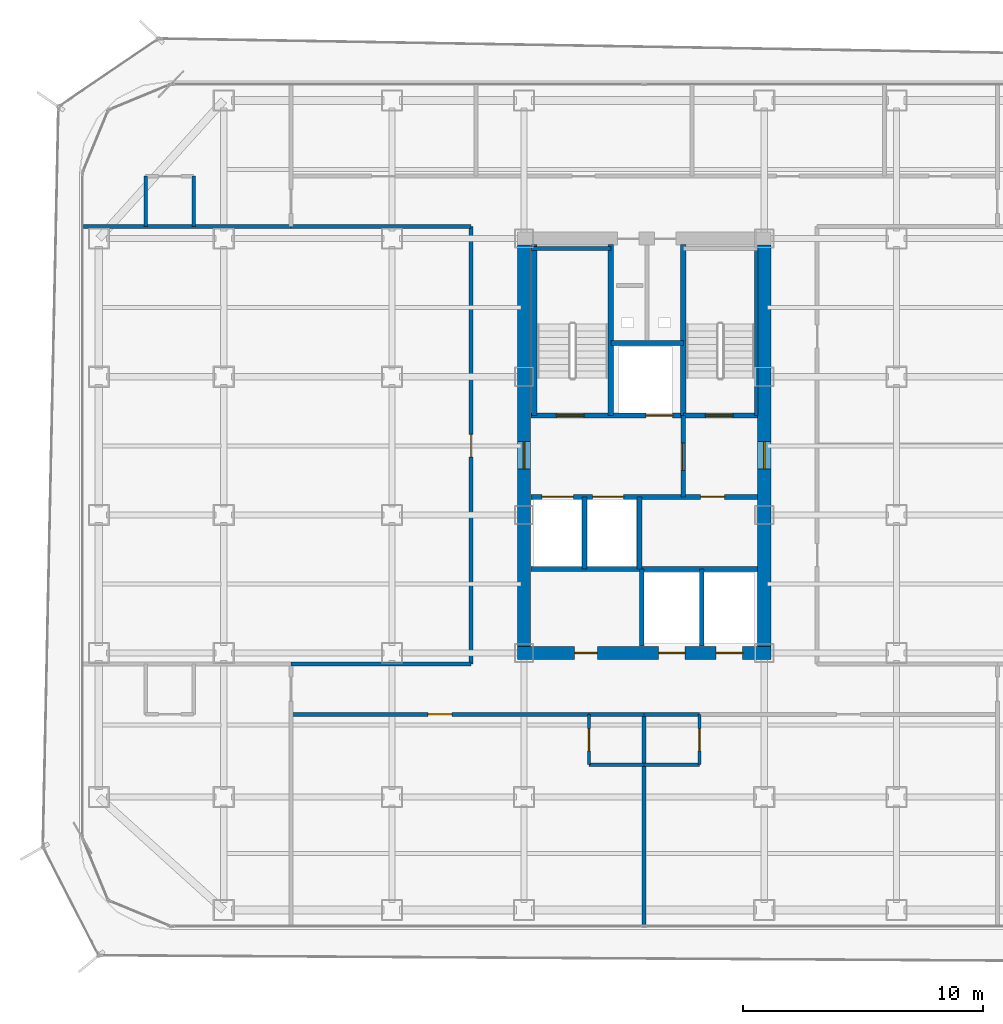
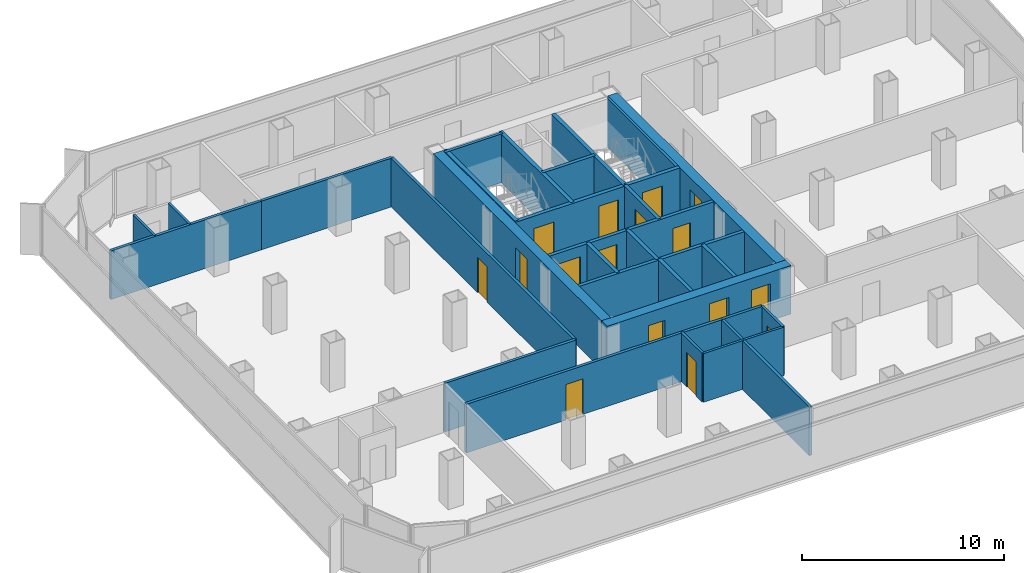
# One storey, part 16 of 21: 32 walls, 16 doors, 16 openings.
"""IFC4 building model written with IfcOpenShell, lengths in metres."""

from ifc_helpers import new_model, si_unit, direction, frame, frame_2d, origin, place, context, subcontext, project, spatial, rectangle, extrude, material, layer, layer_set, type_object, element, fill, save


model = new_model("IFC4")

# Units and contexts
model_context = context("Model", 3, precision=1e-05, world=origin(), true_north=direction((0.0, 1.0)))
body_context = subcontext(model_context, "Body", "Model", "MODEL_VIEW")
ifc_project = project(units=[si_unit("LENGTHUNIT", "METRE"), si_unit("AREAUNIT", "SQUARE_METRE"), si_unit("VOLUMEUNIT", "CUBIC_METRE"), si_unit("PLANEANGLEUNIT", "RADIAN"), si_unit("MASSUNIT", "GRAM", prefix="KILO")], contexts=[model_context])

# Site, building, storey
site_placement = place(None, origin())
site = spatial("IfcSite", under=ifc_project, at=site_placement, CompositionType="ELEMENT")
building_placement = place(site_placement, origin())
building = spatial("IfcBuilding", under=site, at=building_placement, Name="Kolveth Station Tower", CompositionType="ELEMENT")
storey_placement = place(building_placement, frame((0.0, 0.0, 137.5)))
storey = spatial("IfcBuildingStorey", under=building, at=storey_placement, Name="L38", CompositionType="ELEMENT", Elevation=137.5)

# Wall, openings, doors
ifc_material_1 = material(Name="Concrete C60/75", Category="concrete")
ifc_layer_1 = layer(ifc_material_1, 0.550048828125)
ifc_layer_set_1 = layer_set([ifc_layer_1], Name="Concrete C60/75")
wall_type_1 = type_object("IfcWallType", Name="Wall_CW-550", PredefinedType="SHEAR", material=ifc_layer_set_1)
wall_1_placement = place(storey_placement, frame((18.22509765625, 11.5, 0.0), z_axis=(0.0, 0.0, 1.0), x_axis=(1.0, 0.0, 0.0)))
wall_1 = element("IfcWall", 1, at=wall_1_placement, inside=storey, type_object=wall_type_1, Name="L38 Core RC Shear Wall S", PredefinedType="SHEAR", context=body_context, shape_type="SweptSolid", body=[
    extrude(rectangle(XDim=10.5498046875, YDim=0.550048828125, at=frame_2d((5.27490234375, 0.0))), origin(), (0.0, 0.0, 1.0), 2.949951171875),
])
opening_1_placement = place(wall_1_placement, frame((2.375, 0.0, 0.0)))
opening_1 = element("IfcOpeningElement", 2, at=opening_1_placement, cuts=wall_1, Name="Opening ID1", PredefinedType="OPENING", context=body_context, shape_type="SweptSolid", body=[
    extrude(rectangle(XDim=0.949951171875, YDim=2.14990234375, at=frame_2d((0.47509765625, 1.074951171875))), frame((0.0, 0.284912109375, 0.0), z_axis=(0.0, -1.0, 0.0), x_axis=(1.0, 0.0, 0.0)), (0.0, 0.0, 1.0), 0.570068359375),
])
opening_2_placement = place(wall_1_placement, frame((5.875, 0.0, 0.0)))
opening_2 = element("IfcOpeningElement", 3, at=opening_2_placement, cuts=wall_1, Name="Opening LD1", PredefinedType="OPENING", context=body_context, shape_type="SweptSolid", body=[
    extrude(rectangle(XDim=1.10009765625, YDim=2.25, at=frame_2d((0.550048828125, 1.125))), frame((0.0, 0.284912109375, 0.0), z_axis=(0.0, -1.0, 0.0), x_axis=(1.0, 0.0, 0.0)), (0.0, 0.0, 1.0), 0.570068359375),
])
opening_3_placement = place(wall_1_placement, frame((8.27490234375, 0.0, 0.0)))
opening_3 = element("IfcOpeningElement", 4, at=opening_3_placement, cuts=wall_1, Name="Opening LD1", PredefinedType="OPENING", context=body_context, shape_type="SweptSolid", body=[
    extrude(rectangle(XDim=1.10009765625, YDim=2.25, at=frame_2d((0.550048828125, 1.125))), frame((0.0, 0.284912109375, 0.0), z_axis=(0.0, -1.0, 0.0), x_axis=(1.0, 0.0, 0.0)), (0.0, 0.0, 1.0), 0.570068359375),
])
ifc_material_2 = material(Name="Acoustic hardwood leaf and aluminium frame", Category="wood")
door_type_1 = type_object("IfcDoorType", Name="Door_ID1", OperationType="NOTDEFINED", PredefinedType="DOOR", material=ifc_material_2)
door_1_placement = place(opening_1_placement, frame((0.949951171875, 0.0, 0.0), z_axis=(0.0, 0.0, 1.0), x_axis=(-1.0, 0.0, 0.0)))
door_1 = element("IfcDoor", 5, at=door_1_placement, inside=storey, type_object=door_type_1, Name="L38 Hotel Pantry Door", OperationType="SINGLE_SWING_LEFT", OverallHeight=2.14990234375, OverallWidth=0.949951171875, PredefinedType="DOOR", context=body_context, shape_type="SweptSolid", body=[
    extrude(rectangle(XDim=0.949951171875, YDim=2.14990234375, at=frame_2d((0.47509765625, 1.074951171875))), frame((0.0, 0.02490234375, 0.0), z_axis=(0.0, -1.0, 0.0), x_axis=(1.0, 0.0, 0.0)), (0.0, 0.0, 1.0), 0.050048828125),
])
fill(opening_1, door_1)
ifc_material_3 = material(Name="Brushed stainless steel sliding landing doors", Category="steel")
door_type_2 = type_object("IfcDoorType", Name="Door_LD1", OperationType="NOTDEFINED", PredefinedType="DOOR", material=ifc_material_3)
door_2_placement = place(opening_2_placement, frame((1.10009765625, 0.0, 0.0), z_axis=(0.0, 0.0, 1.0), x_axis=(-1.0, 0.0, 0.0)))
door_2 = element("IfcDoor", 6, at=door_2_placement, inside=storey, type_object=door_type_2, Name="L38 Lift PM1 Landing Door", OperationType="DOUBLE_DOOR_SLIDING", OverallHeight=2.25, OverallWidth=1.10009765625, PredefinedType="DOOR", context=body_context, shape_type="SweptSolid", body=[
    extrude(rectangle(XDim=1.10009765625, YDim=2.25, at=frame_2d((0.550048828125, 1.125))), frame((0.0, 0.02490234375, 0.0), z_axis=(0.0, -1.0, 0.0), x_axis=(1.0, 0.0, 0.0)), (0.0, 0.0, 1.0), 0.050048828125),
])
fill(opening_2, door_2)
door_3_placement = place(opening_3_placement, frame((1.10009765625, 0.0, 0.0), z_axis=(0.0, 0.0, 1.0), x_axis=(-1.0, 0.0, 0.0)))
door_3 = element("IfcDoor", 7, at=door_3_placement, inside=storey, type_object=door_type_2, Name="L38 Lift PH1 Landing Door", OperationType="DOUBLE_DOOR_SLIDING", OverallHeight=2.25, OverallWidth=1.10009765625, PredefinedType="DOOR", context=body_context, shape_type="SweptSolid", body=[
    extrude(rectangle(XDim=1.10009765625, YDim=2.25, at=frame_2d((0.550048828125, 1.125))), frame((0.0, 0.02490234375, 0.0), z_axis=(0.0, -1.0, 0.0), x_axis=(1.0, 0.0, 0.0)), (0.0, 0.0, 1.0), 0.050048828125),
])
fill(opening_3, door_3)

# Wall, opening, door
wall_2_placement = place(storey_placement, frame((18.5, 11.77490234375, 0.0), z_axis=(0.0, 0.0, 1.0), x_axis=(0.0, 1.0, 0.0)))
wall_2 = element("IfcWall", 8, at=wall_2_placement, inside=storey, type_object=wall_type_1, Name="L38 Core RC Shear Wall W", PredefinedType="SHEAR", context=body_context, shape_type="SweptSolid", body=[
    extrude(rectangle(XDim=16.7001953125, YDim=0.550048828125, at=frame_2d((8.35009765625, 0.0))), origin(), (0.0, 0.0, 1.0), 2.949951171875),
])
opening_4_placement = place(wall_2_placement, frame((7.375, 0.0, 0.0)))
opening_4 = element("IfcOpeningElement", 9, at=opening_4_placement, cuts=wall_2, Name="Opening FD1", PredefinedType="OPENING", context=body_context, shape_type="SweptSolid", body=[
    extrude(rectangle(XDim=1.14990234375, YDim=2.199951171875, at=frame_2d((0.574951171875, 1.10009765625))), frame((0.0, 0.284912109375, 0.0), z_axis=(0.0, -1.0, 0.0), x_axis=(1.0, 0.0, 0.0)), (0.0, 0.0, 1.0), 0.570068359375),
])
ifc_material_4 = material(Name="Fire-rated Steel S355 leaf and frame", Category="steel")
door_type_3 = type_object("IfcDoorType", Name="Door_FD1", OperationType="NOTDEFINED", PredefinedType="DOOR", material=ifc_material_4)
door_4_placement = place(opening_4_placement, frame((1.14990234375, 0.0, 0.0), z_axis=(0.0, 0.0, 1.0), x_axis=(-1.0, 0.0, 0.0)))
door_4 = element("IfcDoor", 10, at=door_4_placement, inside=storey, type_object=door_type_3, Name="L38 West Corridor to Firefighting Lobby Door", OperationType="SINGLE_SWING_LEFT", OverallHeight=2.199951171875, OverallWidth=1.14990234375, PredefinedType="DOOR", context=body_context, shape_type="SweptSolid", body=[
    extrude(rectangle(XDim=1.14990234375, YDim=2.199951171875, at=frame_2d((0.574951171875, 1.10009765625))), frame((0.0, 0.02490234375, 0.0), z_axis=(0.0, -1.0, 0.0), x_axis=(1.0, 0.0, 0.0)), (0.0, 0.0, 1.0), 0.050048828125),
])
fill(opening_4, door_4)

wall_3_placement = place(storey_placement, frame((28.5, 11.77490234375, 0.0), z_axis=(0.0, 0.0, 1.0), x_axis=(0.0, 1.0, 0.0)))
wall_3 = element("IfcWall", 11, at=wall_3_placement, inside=storey, type_object=wall_type_1, Name="L38 Core RC Shear Wall E", PredefinedType="SHEAR", context=body_context, shape_type="SweptSolid", body=[
    extrude(rectangle(XDim=16.7001953125, YDim=0.550048828125, at=frame_2d((8.35009765625, 0.0))), origin(), (0.0, 0.0, 1.0), 2.949951171875),
])
opening_5_placement = place(wall_3_placement, frame((7.375, 0.0, 0.0)))
opening_5 = element("IfcOpeningElement", 12, at=opening_5_placement, cuts=wall_3, Name="Opening FD1", PredefinedType="OPENING", context=body_context, shape_type="SweptSolid", body=[
    extrude(rectangle(XDim=1.14990234375, YDim=2.199951171875, at=frame_2d((0.574951171875, 1.10009765625))), frame((0.0, 0.284912109375, 0.0), z_axis=(0.0, -1.0, 0.0), x_axis=(1.0, 0.0, 0.0)), (0.0, 0.0, 1.0), 0.570068359375),
])
door_5_placement = place(opening_5_placement, origin())
door_5 = element("IfcDoor", 13, at=door_5_placement, inside=storey, type_object=door_type_3, Name="L38 East Corridor to Stair Lobby Door", OperationType="SINGLE_SWING_RIGHT", OverallHeight=2.199951171875, OverallWidth=1.14990234375, PredefinedType="DOOR", context=body_context, shape_type="SweptSolid", body=[
    extrude(rectangle(XDim=1.14990234375, YDim=2.199951171875, at=frame_2d((0.574951171875, 1.10009765625))), frame((0.0, 0.02490234375, 0.0), z_axis=(0.0, -1.0, 0.0), x_axis=(1.0, 0.0, 0.0)), (0.0, 0.0, 1.0), 0.050048828125),
])
fill(opening_5, door_5)

# Walls
ifc_material_5 = material(Name="Moisture-resistant gypsum partition")
ifc_layer_2 = layer(ifc_material_5, 0.135009765625)
ifc_layer_set_2 = layer_set([ifc_layer_2], Name="Moisture-resistant gypsum partition")
wall_type_2 = type_object("IfcWallType", Name="Wall_IW-135", PredefinedType="PARTITIONING", material=ifc_layer_set_2)
wall_4_placement = place(storey_placement, frame((28.16748046875, 21.389892578125, 0.0), z_axis=(0.0, 0.0, 1.0), x_axis=(0.0, 1.0, 0.0)))
element("IfcWall", 14, at=wall_4_placement, inside=storey, type_object=wall_type_2, Name="L38 Stair Shaft Wall WL-L38-ST2-E", PredefinedType="PARTITIONING", context=body_context, shape_type="SweptSolid", body=[
    extrude(rectangle(XDim=6.945068359375, YDim=0.135009765625, at=frame_2d((3.47265625, 0.0))), origin(), (0.0, 0.0, 1.0), 2.949951171875),
])
for number, where, z_axis, x_axis, name in (
    (15, (2.75, 29.25, 0.0), (0.0, 0.0, 1.0), (0.0, 1.0, 0.0), "L38 Partition Wall WL-L38-WS2-BV1"),
    (16, (4.75, 29.25, 0.0), (0.0, 0.0, 1.0), (0.0, 1.0, 0.0), "L38 Partition Wall WL-L38-WS2-BV2"),
):
    element("IfcWall", number, at=place(storey_placement, frame(where, z_axis=z_axis, x_axis=x_axis)), inside=storey, type_object=wall_type_2, Name=name, PredefinedType="PARTITIONING", context=body_context, shape_type="SweptSolid", body=[
        extrude(rectangle(XDim=2.10009765625, YDim=0.135009765625, at=frame_2d((1.050048828125, 0.0))), origin(), (0.0, 0.0, 1.0), 2.949951171875),
    ])

# Wall, opening, door
wall_5_placement = place(storey_placement, frame((21.199951171875, 6.85009765625, 0.0), z_axis=(0.0, 0.0, 1.0), x_axis=(0.0, 1.0, 0.0)))
wall_5 = element("IfcWall", 17, at=wall_5_placement, inside=storey, type_object=wall_type_2, Name="L38 Partition Wall WL-L38-HS1-BV", PredefinedType="PARTITIONING", context=body_context, shape_type="SweptSolid", body=[
    extrude(rectangle(XDim=2.099853515625, YDim=0.135009765625, at=frame_2d((1.0498046875, 0.0))), origin(), (0.0, 0.0, 1.0), 2.949951171875),
])
opening_6_placement = place(wall_5_placement, frame((0.580078125, 0.0, 0.0)))
opening_6 = element("IfcOpeningElement", 18, at=opening_6_placement, cuts=wall_5, Name="Opening ID2", PredefinedType="OPENING", context=body_context, shape_type="SweptSolid", body=[
    extrude(rectangle(XDim=0.919921875, YDim=2.10009765625, at=frame_2d((0.4599609375, 1.050048828125))), frame((0.0, 0.077392578125, 0.0), z_axis=(0.0, -1.0, 0.0), x_axis=(1.0, 0.0, 0.0)), (0.0, 0.0, 1.0), 0.155029296875),
])
ifc_material_6 = material(Name="Moisture-resistant hardwood leaf", Category="wood")
door_type_4 = type_object("IfcDoorType", Name="Door_ID2", OperationType="NOTDEFINED", PredefinedType="DOOR", material=ifc_material_6)
door_6_placement = place(opening_6_placement, origin())
door_6 = element("IfcDoor", 19, at=door_6_placement, inside=storey, type_object=door_type_4, Name="L38 Hotel Corner Suite HS1 En-Suite Door", OperationType="SINGLE_SWING_RIGHT", OverallHeight=2.10009765625, OverallWidth=0.919921875, PredefinedType="DOOR", context=body_context, shape_type="SweptSolid", body=[
    extrude(rectangle(XDim=0.919921875, YDim=2.10009765625, at=frame_2d((0.4599609375, 1.050048828125))), frame((0.0, 0.02490234375, 0.0), z_axis=(0.0, -1.0, 0.0), x_axis=(1.0, 0.0, 0.0)), (0.0, 0.0, 1.0), 0.050048828125),
])
fill(opening_6, door_6)

# Wall
wall_6_placement = place(storey_placement, frame((21.199951171875, 6.85009765625, 0.0), z_axis=(0.0, 0.0, 1.0), x_axis=(1.0, 0.0, 0.0)))
element("IfcWall", 20, at=wall_6_placement, inside=storey, type_object=wall_type_2, Name="L38 Partition Wall WL-L38-HS1-BH", PredefinedType="PARTITIONING", context=body_context, shape_type="SweptSolid", body=[
    extrude(rectangle(XDim=2.300048828125, YDim=0.135009765625, at=frame_2d((1.14990234375, 0.0))), origin(), (0.0, 0.0, 1.0), 2.949951171875),
])

# Wall, opening, door
wall_7_placement = place(storey_placement, frame((25.800048828125, 6.85009765625, 0.0), z_axis=(0.0, 0.0, 1.0), x_axis=(0.0, 1.0, 0.0)))
wall_7 = element("IfcWall", 21, at=wall_7_placement, inside=storey, type_object=wall_type_2, Name="L38 Partition Wall WL-L38-HS2-BV", PredefinedType="PARTITIONING", context=body_context, shape_type="SweptSolid", body=[
    extrude(rectangle(XDim=2.099853515625, YDim=0.135009765625, at=frame_2d((1.0498046875, 0.0))), origin(), (0.0, 0.0, 1.0), 2.949951171875),
])
opening_7_placement = place(wall_7_placement, frame((0.580078125, 0.0, 0.0)))
opening_7 = element("IfcOpeningElement", 22, at=opening_7_placement, cuts=wall_7, Name="Opening ID2", PredefinedType="OPENING", context=body_context, shape_type="SweptSolid", body=[
    extrude(rectangle(XDim=0.919921875, YDim=2.10009765625, at=frame_2d((0.4599609375, 1.050048828125))), frame((0.0, 0.077392578125, 0.0), z_axis=(0.0, -1.0, 0.0), x_axis=(1.0, 0.0, 0.0)), (0.0, 0.0, 1.0), 0.155029296875),
])
door_7_placement = place(opening_7_placement, frame((0.919921875, 0.0, 0.0), z_axis=(0.0, 0.0, 1.0), x_axis=(-1.0, 0.0, 0.0)))
door_7 = element("IfcDoor", 23, at=door_7_placement, inside=storey, type_object=door_type_4, Name="L38 Hotel Corner Suite HS2 En-Suite Door", OperationType="SINGLE_SWING_RIGHT", OverallHeight=2.10009765625, OverallWidth=0.919921875, PredefinedType="DOOR", context=body_context, shape_type="SweptSolid", body=[
    extrude(rectangle(XDim=0.919921875, YDim=2.10009765625, at=frame_2d((0.4599609375, 1.050048828125))), frame((0.0, 0.02490234375, 0.0), z_axis=(0.0, -1.0, 0.0), x_axis=(1.0, 0.0, 0.0)), (0.0, 0.0, 1.0), 0.050048828125),
])
fill(opening_7, door_7)

# Walls
wall_8_placement = place(storey_placement, frame((23.5, 6.85009765625, 0.0), z_axis=(0.0, 0.0, 1.0), x_axis=(1.0, 0.0, 0.0)))
element("IfcWall", 24, at=wall_8_placement, inside=storey, type_object=wall_type_2, Name="L38 Partition Wall WL-L38-HS2-BH", PredefinedType="PARTITIONING", context=body_context, shape_type="SweptSolid", body=[
    extrude(rectangle(XDim=2.300048828125, YDim=0.135009765625, at=frame_2d((1.14990234375, 0.0))), origin(), (0.0, 0.0, 1.0), 2.949951171875),
])
ifc_material_7 = material(Name="Acoustic double-stud gypsum partition")
ifc_layer_3 = layer(ifc_material_7, 0.1650390625)
ifc_layer_set_3 = layer_set([ifc_layer_3], Name="Acoustic double-stud gypsum partition")
wall_type_3 = type_object("IfcWallType", Name="Wall_IW-165", PredefinedType="PARTITIONING", material=ifc_layer_set_3)
wall_9_placement = place(storey_placement, frame((18.784912109375, 28.3349609375, 0.0), z_axis=(0.0, 0.0, 1.0), x_axis=(1.0, 0.0, 0.0)))
element("IfcWall", 25, at=wall_9_placement, inside=storey, type_object=wall_type_3, Name="L38 Stair Shaft Wall WL-L38-ST1-N", PredefinedType="PARTITIONING", context=body_context, shape_type="SweptSolid", body=[
    extrude(rectangle(XDim=3.3251953125, YDim=0.1650390625, at=frame_2d((1.66259765625, 0.0))), origin(), (0.0, 0.0, 1.0), 2.949951171875),
])
for number, where, z_axis, x_axis, name in (
    (26, (8.800048828125, 11.050048828125, 0.0), (0.0, 0.0, 1.0), (1.0, 0.0, 0.0), "L38 Partition Wall WL-L38-HSWT"),
    (27, (8.800048828125, 29.25, 0.0), (0.0, 0.0, 1.0), (1.0, 0.0, 0.0), "L38 Partition Wall WL-L38-HNWB"),
):
    element("IfcWall", number, at=place(storey_placement, frame(where, z_axis=z_axis, x_axis=x_axis)), inside=storey, type_object=wall_type_3, Name=name, PredefinedType="PARTITIONING", context=body_context, shape_type="SweptSolid", body=[
        extrude(rectangle(XDim=7.5, YDim=0.1650390625, at=frame_2d((3.75, 0.0))), origin(), (0.0, 0.0, 1.0), 2.949951171875),
    ])

# Wall, opening, door
wall_10_placement = place(storey_placement, frame((16.300048828125, 11.050048828125, 0.0), z_axis=(0.0, 0.0, 1.0), x_axis=(0.0, 1.0, 0.0)))
wall_10 = element("IfcWall", 28, at=wall_10_placement, inside=storey, type_object=wall_type_3, Name="L38 Partition Wall WL-L38-HW", PredefinedType="PARTITIONING", context=body_context, shape_type="SweptSolid", body=[
    extrude(rectangle(XDim=18.199951171875, YDim=0.1650390625, at=frame_2d((9.10009765625, 0.0))), origin(), (0.0, 0.0, 1.0), 2.949951171875),
])
opening_8_placement = place(wall_10_placement, frame((8.60009765625, 0.0, 0.0)))
opening_8 = element("IfcOpeningElement", 29, at=opening_8_placement, cuts=wall_10, Name="Opening ID1", PredefinedType="OPENING", context=body_context, shape_type="SweptSolid", body=[
    extrude(rectangle(XDim=0.949951171875, YDim=2.14990234375, at=frame_2d((0.47509765625, 1.074951171875))), frame((0.0, 0.092529296875, 0.0), z_axis=(0.0, -1.0, 0.0), x_axis=(1.0, 0.0, 0.0)), (0.0, 0.0, 1.0), 0.18505859375),
])
door_8_placement = place(opening_8_placement, frame((0.949951171875, 0.0, 0.0), z_axis=(0.0, 0.0, 1.0), x_axis=(-1.0, 0.0, 0.0)))
door_8 = element("IfcDoor", 30, at=door_8_placement, inside=storey, type_object=door_type_1, Name="L38 Conference Salon West Door", OperationType="SINGLE_SWING_RIGHT", OverallHeight=2.14990234375, OverallWidth=0.949951171875, PredefinedType="DOOR", context=body_context, shape_type="SweptSolid", body=[
    extrude(rectangle(XDim=0.949951171875, YDim=2.14990234375, at=frame_2d((0.47509765625, 1.074951171875))), frame((0.0, 0.02490234375, 0.0), z_axis=(0.0, -1.0, 0.0), x_axis=(1.0, 0.0, 0.0)), (0.0, 0.0, 1.0), 0.050048828125),
])
fill(opening_8, door_8)

# Walls
wall_11_placement = place(storey_placement, frame((0.159912109375, 29.25, 0.0), z_axis=(0.0, 0.0, 1.0), x_axis=(1.0, 0.0, 0.0)))
element("IfcWall", 31, at=wall_11_placement, inside=storey, type_object=wall_type_3, Name="L38 Partition Wall WL-L38-WM2", PredefinedType="PARTITIONING", context=body_context, shape_type="SweptSolid", body=[
    extrude(rectangle(XDim=8.64013671875, YDim=0.1650390625, at=frame_2d((4.320068359375, 0.0))), origin(), (0.0, 0.0, 1.0), 2.949951171875),
])
wall_12_placement = place(storey_placement, frame((21.199951171875, 8.949951171875, 0.0), z_axis=(0.0, 0.0, 1.0), x_axis=(1.0, 0.0, 0.0)))
element("IfcWall", 32, at=wall_12_placement, inside=storey, type_object=wall_type_3, Name="L38 Partition Wall WL-L38-HS1-BCOR", PredefinedType="PARTITIONING", context=body_context, shape_type="SweptSolid", body=[
    extrude(rectangle(XDim=2.300048828125, YDim=0.1650390625, at=frame_2d((1.14990234375, 0.0))), origin(), (0.0, 0.0, 1.0), 2.949951171875),
])

# Wall, opening, door
wall_13_placement = place(storey_placement, frame((8.800048828125, 8.949951171875, 0.0), z_axis=(0.0, 0.0, 1.0), x_axis=(1.0, 0.0, 0.0)))
wall_13 = element("IfcWall", 33, at=wall_13_placement, inside=storey, type_object=wall_type_3, Name="L38 Partition Wall WL-L38-HS1-RCOR", PredefinedType="PARTITIONING", context=body_context, shape_type="SweptSolid", body=[
    extrude(rectangle(XDim=12.39990234375, YDim=0.1650390625, at=frame_2d((6.199951171875, 0.0))), origin(), (0.0, 0.0, 1.0), 2.949951171875),
])
opening_9_placement = place(wall_13_placement, frame((5.699951171875, 0.0, 0.0)))
opening_9 = element("IfcOpeningElement", 34, at=opening_9_placement, cuts=wall_13, Name="Opening FD3", PredefinedType="OPENING", context=body_context, shape_type="SweptSolid", body=[
    extrude(rectangle(XDim=1.0, YDim=2.14990234375, at=frame_2d((0.5, 1.074951171875))), frame((0.0, 0.092529296875, 0.0), z_axis=(0.0, -1.0, 0.0), x_axis=(1.0, 0.0, 0.0)), (0.0, 0.0, 1.0), 0.18505859375),
])
ifc_material_8 = material(Name="Fire-rated hardwood leaf and aluminium frame", Category="wood")
door_type_5 = type_object("IfcDoorType", Name="Door_FD3", OperationType="NOTDEFINED", PredefinedType="DOOR", material=ifc_material_8)
door_9_placement = place(opening_9_placement, frame((1.0, 0.0, 0.0), z_axis=(0.0, 0.0, 1.0), x_axis=(-1.0, 0.0, 0.0)))
door_9 = element("IfcDoor", 35, at=door_9_placement, inside=storey, type_object=door_type_5, Name="L38 Hotel Corner Suite HS1 Entrance Door", OperationType="SINGLE_SWING_LEFT", OverallHeight=2.14990234375, OverallWidth=1.0, PredefinedType="DOOR", context=body_context, shape_type="SweptSolid", body=[
    extrude(rectangle(XDim=1.0, YDim=2.14990234375, at=frame_2d((0.5, 1.074951171875))), frame((0.0, 0.02490234375, 0.0), z_axis=(0.0, -1.0, 0.0), x_axis=(1.0, 0.0, 0.0)), (0.0, 0.0, 1.0), 0.050048828125),
])
fill(opening_9, door_9)

# Walls
wall_14_placement = place(storey_placement, frame((23.5, 0.159912109375, 0.0), z_axis=(0.0, 0.0, 1.0), x_axis=(0.0, 1.0, 0.0)))
element("IfcWall", 36, at=wall_14_placement, inside=storey, type_object=wall_type_3, Name="L38 Partition Wall WL-L38-HSK-1", PredefinedType="PARTITIONING", context=body_context, shape_type="SweptSolid", body=[
    extrude(rectangle(XDim=8.7900390625, YDim=0.1650390625, at=frame_2d((4.39501953125, 0.0))), origin(), (0.0, 0.0, 1.0), 2.949951171875),
])
wall_15_placement = place(storey_placement, frame((23.5, 8.949951171875, 0.0), z_axis=(0.0, 0.0, 1.0), x_axis=(1.0, 0.0, 0.0)))
element("IfcWall", 37, at=wall_15_placement, inside=storey, type_object=wall_type_3, Name="L38 Partition Wall WL-L38-HS2-BCOR", PredefinedType="PARTITIONING", context=body_context, shape_type="SweptSolid", body=[
    extrude(rectangle(XDim=2.300048828125, YDim=0.1650390625, at=frame_2d((1.14990234375, 0.0))), origin(), (0.0, 0.0, 1.0), 2.949951171875),
])
ifc_material_9 = material(Name="Acoustic fire-rated gypsum blockwork", Category="masonry")
ifc_layer_4 = layer(ifc_material_9, 0.199951171875)
ifc_layer_set_4 = layer_set([ifc_layer_4], Name="Acoustic fire-rated gypsum blockwork")
wall_type_4 = type_object("IfcWallType", Name="Wall_IW-200", PredefinedType="PARTITIONING", material=ifc_layer_set_4)
wall_16_placement = place(storey_placement, frame((22.110107421875, 24.39990234375, 0.0), z_axis=(0.0, 0.0, 1.0), x_axis=(1.0, 0.0, 0.0)))
element("IfcWall", 38, at=wall_16_placement, inside=storey, type_object=wall_type_4, Name="L38 Partition Wall WL-L38-RSR-S", PredefinedType="PARTITIONING", context=body_context, shape_type="SweptSolid", body=[
    extrude(rectangle(XDim=3.019775390625, YDim=0.199951171875, at=frame_2d((1.509765625, 0.0))), origin(), (0.0, 0.0, 1.0), 2.949951171875),
])

# Wall, opening, door
wall_17_placement = place(storey_placement, frame((25.1298828125, 18.0, 0.0), z_axis=(0.0, 0.0, 1.0), x_axis=(0.0, 1.0, 0.0)))
wall_17 = element("IfcWall", 39, at=wall_17_placement, inside=storey, type_object=wall_type_4, Name="L38 Partition Wall WL-L38-FFL-E", PredefinedType="PARTITIONING", context=body_context, shape_type="SweptSolid", body=[
    extrude(rectangle(XDim=3.389892578125, YDim=0.199951171875, at=frame_2d((1.69482421875, 0.0))), origin(), (0.0, 0.0, 1.0), 2.949951171875),
])
opening_10_placement = place(wall_17_placement, frame((1.10009765625, 0.0, 0.0)))
opening_10 = element("IfcOpeningElement", 40, at=opening_10_placement, cuts=wall_17, Name="Opening FD1", PredefinedType="OPENING", context=body_context, shape_type="SweptSolid", body=[
    extrude(rectangle(XDim=1.14990234375, YDim=2.199951171875, at=frame_2d((0.574951171875, 1.10009765625))), frame((0.0, 0.10986328125, 0.0), z_axis=(0.0, -1.0, 0.0), x_axis=(1.0, 0.0, 0.0)), (0.0, 0.0, 1.0), 0.219970703125),
])
door_10_placement = place(opening_10_placement, origin())
door_10 = element("IfcDoor", 41, at=door_10_placement, inside=storey, type_object=door_type_3, Name="L38 Firefighting to Stair Lobby Door", OperationType="SINGLE_SWING_LEFT", OverallHeight=2.199951171875, OverallWidth=1.14990234375, PredefinedType="DOOR", context=body_context, shape_type="SweptSolid", body=[
    extrude(rectangle(XDim=1.14990234375, YDim=2.199951171875, at=frame_2d((0.574951171875, 1.10009765625))), frame((0.0, 0.02490234375, 0.0), z_axis=(0.0, -1.0, 0.0), x_axis=(1.0, 0.0, 0.0)), (0.0, 0.0, 1.0), 0.050048828125),
])
fill(opening_10, door_10)

# Wall, openings, doors
wall_18_placement = place(storey_placement, frame((18.784912109375, 18.0, 0.0), z_axis=(0.0, 0.0, 1.0), x_axis=(1.0, 0.0, 0.0)))
wall_18 = element("IfcWall", 42, at=wall_18_placement, inside=storey, type_object=wall_type_4, Name="L38 Partition Wall WL-L38-FFL-S", PredefinedType="PARTITIONING", context=body_context, shape_type="SweptSolid", body=[
    extrude(rectangle(XDim=9.43017578125, YDim=0.199951171875, at=frame_2d((4.715087890625, 0.0))), origin(), (0.0, 0.0, 1.0), 2.949951171875),
])
opening_11_placement = place(wall_18_placement, frame((0.465087890625, 0.0, 0.0)))
opening_11 = element("IfcOpeningElement", 43, at=opening_11_placement, cuts=wall_18, Name="Opening LD2", PredefinedType="OPENING", context=body_context, shape_type="SweptSolid", body=[
    extrude(rectangle(XDim=1.300048828125, YDim=2.300048828125, at=frame_2d((0.64990234375, 1.14990234375))), frame((0.0, 0.10986328125, 0.0), z_axis=(0.0, -1.0, 0.0), x_axis=(1.0, 0.0, 0.0)), (0.0, 0.0, 1.0), 0.219970703125),
])
opening_12_placement = place(wall_18_placement, frame((2.56494140625, 0.0, 0.0)))
opening_12 = element("IfcOpeningElement", 44, at=opening_12_placement, cuts=wall_18, Name="Opening LD2", PredefinedType="OPENING", context=body_context, shape_type="SweptSolid", body=[
    extrude(rectangle(XDim=1.300048828125, YDim=2.300048828125, at=frame_2d((0.64990234375, 1.14990234375))), frame((0.0, 0.10986328125, 0.0), z_axis=(0.0, -1.0, 0.0), x_axis=(1.0, 0.0, 0.0)), (0.0, 0.0, 1.0), 0.219970703125),
])
opening_13_placement = place(wall_18_placement, frame((7.06494140625, 0.0, 0.0)))
opening_13 = element("IfcOpeningElement", 45, at=opening_13_placement, cuts=wall_18, Name="Opening FD3", PredefinedType="OPENING", context=body_context, shape_type="SweptSolid", body=[
    extrude(rectangle(XDim=1.0, YDim=2.14990234375, at=frame_2d((0.5, 1.074951171875))), frame((0.0, 0.10986328125, 0.0), z_axis=(0.0, -1.0, 0.0), x_axis=(1.0, 0.0, 0.0)), (0.0, 0.0, 1.0), 0.219970703125),
])
door_11_placement = place(opening_13_placement, frame((1.0, 0.0, 0.0), z_axis=(0.0, 0.0, 1.0), x_axis=(-1.0, 0.0, 0.0)))
door_11 = element("IfcDoor", 46, at=door_11_placement, inside=storey, type_object=door_type_5, Name="L38 Housekeeping and Linen Room Door", OperationType="SINGLE_SWING_RIGHT", OverallHeight=2.14990234375, OverallWidth=1.0, PredefinedType="DOOR", context=body_context, shape_type="SweptSolid", body=[
    extrude(rectangle(XDim=1.0, YDim=2.14990234375, at=frame_2d((0.5, 1.074951171875))), frame((0.0, 0.02490234375, 0.0), z_axis=(0.0, -1.0, 0.0), x_axis=(1.0, 0.0, 0.0)), (0.0, 0.0, 1.0), 0.050048828125),
])
fill(opening_13, door_11)
ifc_material_10 = material(Name="Firefighting stainless steel sliding landing doors", Category="steel")
door_type_6 = type_object("IfcDoorType", Name="Door_LD2", OperationType="NOTDEFINED", PredefinedType="DOOR", material=ifc_material_10)
door_12_placement = place(opening_11_placement, origin())
door_12 = element("IfcDoor", 47, at=door_12_placement, inside=storey, type_object=door_type_6, Name="L38 Firefighting Lift FF1 Landing Door", OperationType="DOUBLE_DOOR_SLIDING", OverallHeight=2.300048828125, OverallWidth=1.300048828125, PredefinedType="DOOR", context=body_context, shape_type="SweptSolid", body=[
    extrude(rectangle(XDim=1.300048828125, YDim=2.300048828125, at=frame_2d((0.64990234375, 1.14990234375))), frame((0.0, 0.02490234375, 0.0), z_axis=(0.0, -1.0, 0.0), x_axis=(1.0, 0.0, 0.0)), (0.0, 0.0, 1.0), 0.050048828125),
])
fill(opening_11, door_12)
door_13_placement = place(opening_12_placement, origin())
door_13 = element("IfcDoor", 48, at=door_13_placement, inside=storey, type_object=door_type_6, Name="L38 Firefighting Lift FF2 Landing Door", OperationType="DOUBLE_DOOR_SLIDING", OverallHeight=2.300048828125, OverallWidth=1.300048828125, PredefinedType="DOOR", context=body_context, shape_type="SweptSolid", body=[
    extrude(rectangle(XDim=1.300048828125, YDim=2.300048828125, at=frame_2d((0.64990234375, 1.14990234375))), frame((0.0, 0.02490234375, 0.0), z_axis=(0.0, -1.0, 0.0), x_axis=(1.0, 0.0, 0.0)), (0.0, 0.0, 1.0), 0.050048828125),
])
fill(opening_12, door_13)

# Walls
for number, where, z_axis, x_axis, name in (
    (49, (21.02001953125, 15.0, 0.0), (0.0, 0.0, 1.0), (0.0, 1.0, 0.0), "L38 Partition Wall WL-L38-FF12"),
    (50, (23.300048828125, 15.0, 0.0), (0.0, 0.0, 1.0), (0.0, 1.0, 0.0), "L38 Partition Wall WL-L38-FF2E"),
):
    element("IfcWall", number, at=place(storey_placement, frame(where, z_axis=z_axis, x_axis=x_axis)), inside=storey, type_object=wall_type_4, Name=name, PredefinedType="PARTITIONING", context=body_context, shape_type="SweptSolid", body=[
        extrude(rectangle(XDim=3.0, YDim=0.199951171875, at=frame_2d((1.5, 0.0))), origin(), (0.0, 0.0, 1.0), 2.949951171875),
    ])
wall_19_placement = place(storey_placement, frame((18.784912109375, 15.0, 0.0), z_axis=(0.0, 0.0, 1.0), x_axis=(1.0, 0.0, 0.0)))
element("IfcWall", 51, at=wall_19_placement, inside=storey, type_object=wall_type_4, Name="L38 Partition Wall WL-L38-BOH-S", PredefinedType="PARTITIONING", context=body_context, shape_type="SweptSolid", body=[
    extrude(rectangle(XDim=9.43017578125, YDim=0.199951171875, at=frame_2d((4.715087890625, 0.0))), origin(), (0.0, 0.0, 1.0), 2.949951171875),
])
for number, where, z_axis, x_axis, name in (
    (52, (23.39990234375, 11.784912109375, 0.0), (0.0, 0.0, 1.0), (0.0, 1.0, 0.0), "L38 Partition Wall WL-L38-PL2E"),
    (53, (25.89990234375, 11.784912109375, 0.0), (0.0, 0.0, 1.0), (0.0, 1.0, 0.0), "L38 Partition Wall WL-L38-PMPH"),
):
    element("IfcWall", number, at=place(storey_placement, frame(where, z_axis=z_axis, x_axis=x_axis)), inside=storey, type_object=wall_type_4, Name=name, PredefinedType="PARTITIONING", context=body_context, shape_type="SweptSolid", body=[
        extrude(rectangle(XDim=3.215087890625, YDim=0.199951171875, at=frame_2d((1.607421875, 0.0))), origin(), (0.0, 0.0, 1.0), 2.949951171875),
    ])
ifc_material_11 = material(Name="Concrete C40/50", Category="concrete")
ifc_layer_5 = layer(ifc_material_11, 0.219970703125)
ifc_layer_set_5 = layer_set([ifc_layer_5], Name="Concrete C40/50")
wall_type_5 = type_object("IfcWallType", Name="Wall_IW-220", PredefinedType="SOLIDWALL", material=ifc_layer_set_5)
for number, where, z_axis, x_axis, name in (
    (54, (18.929931640625, 21.389892578125, 0.0), (0.0, 0.0, 1.0), (0.0, 1.0, 0.0), "L38 Stair Shaft Wall WL-L38-ST1-W"),
    (55, (22.110107421875, 21.389892578125, 0.0), (0.0, 0.0, 1.0), (0.0, 1.0, 0.0), "L38 Stair Shaft Wall WL-L38-ST1-E"),
    (56, (25.1298828125, 21.389892578125, 0.0), (0.0, 0.0, 1.0), (0.0, 1.0, 0.0), "L38 Stair Shaft Wall WL-L38-ST2-W"),
):
    element("IfcWall", number, at=place(storey_placement, frame(where, z_axis=z_axis, x_axis=x_axis)), inside=storey, type_object=wall_type_5, Name=name, PredefinedType="SOLIDWALL", context=body_context, shape_type="SweptSolid", body=[
        extrude(rectangle(XDim=7.110107421875, YDim=0.219970703125, at=frame_2d((3.55517578125, 0.0))), origin(), (0.0, 0.0, 1.0), 2.949951171875),
    ])

# Wall, openings, doors
wall_20_placement = place(storey_placement, frame((18.784912109375, 21.389892578125, 0.0), z_axis=(0.0, 0.0, 1.0), x_axis=(1.0, 0.0, 0.0)))
wall_20 = element("IfcWall", 57, at=wall_20_placement, inside=storey, type_object=wall_type_5, Name="L38 Stair Shaft Wall WL-L38-ST1-S", PredefinedType="SOLIDWALL", context=body_context, shape_type="SweptSolid", body=[
    extrude(rectangle(XDim=6.344970703125, YDim=0.219970703125, at=frame_2d((3.17236328125, 0.0))), origin(), (0.0, 0.0, 1.0), 2.949951171875),
])
opening_14_placement = place(wall_20_placement, frame((1.06494140625, 0.0, 0.0)))
opening_14 = element("IfcOpeningElement", 58, at=opening_14_placement, cuts=wall_20, Name="Opening FD1", PredefinedType="OPENING", context=body_context, shape_type="SweptSolid", body=[
    extrude(rectangle(XDim=1.14990234375, YDim=2.199951171875, at=frame_2d((0.574951171875, 1.10009765625))), frame((0.0, 0.119873046875, 0.0), z_axis=(0.0, -1.0, 0.0), x_axis=(1.0, 0.0, 0.0)), (0.0, 0.0, 1.0), 0.239990234375),
])
opening_15_placement = place(wall_20_placement, frame((4.794921875, 0.0, 0.0)))
opening_15 = element("IfcOpeningElement", 59, at=opening_15_placement, cuts=wall_20, Name="Opening LD1", PredefinedType="OPENING", context=body_context, shape_type="SweptSolid", body=[
    extrude(rectangle(XDim=1.10009765625, YDim=2.25, at=frame_2d((0.550048828125, 1.125))), frame((0.0, 0.119873046875, 0.0), z_axis=(0.0, -1.0, 0.0), x_axis=(1.0, 0.0, 0.0)), (0.0, 0.0, 1.0), 0.239990234375),
])
door_14_placement = place(opening_14_placement, frame((1.14990234375, 0.0, 0.0), z_axis=(0.0, 0.0, 1.0), x_axis=(-1.0, 0.0, 0.0)))
door_14 = element("IfcDoor", 60, at=door_14_placement, inside=storey, type_object=door_type_3, Name="L38 Stair ST1 Fire Door", OperationType="SINGLE_SWING_LEFT", OverallHeight=2.199951171875, OverallWidth=1.14990234375, PredefinedType="DOOR", context=body_context, shape_type="SweptSolid", body=[
    extrude(rectangle(XDim=1.14990234375, YDim=2.199951171875, at=frame_2d((0.574951171875, 1.10009765625))), frame((0.0, 0.02490234375, 0.0), z_axis=(0.0, -1.0, 0.0), x_axis=(1.0, 0.0, 0.0)), (0.0, 0.0, 1.0), 0.050048828125),
])
fill(opening_14, door_14)
door_15_placement = place(opening_15_placement, frame((1.10009765625, 0.0, 0.0), z_axis=(0.0, 0.0, 1.0), x_axis=(-1.0, 0.0, 0.0)))
door_15 = element("IfcDoor", 61, at=door_15_placement, inside=storey, type_object=door_type_2, Name="L38 Service Lift SV1 Landing Door", OperationType="DOUBLE_DOOR_SLIDING", OverallHeight=2.25, OverallWidth=1.10009765625, PredefinedType="DOOR", context=body_context, shape_type="SweptSolid", body=[
    extrude(rectangle(XDim=1.10009765625, YDim=2.25, at=frame_2d((0.550048828125, 1.125))), frame((0.0, 0.02490234375, 0.0), z_axis=(0.0, -1.0, 0.0), x_axis=(1.0, 0.0, 0.0)), (0.0, 0.0, 1.0), 0.050048828125),
])
fill(opening_15, door_15)

# Wall, opening, door
wall_21_placement = place(storey_placement, frame((25.1298828125, 21.389892578125, 0.0), z_axis=(0.0, 0.0, 1.0), x_axis=(1.0, 0.0, 0.0)))
wall_21 = element("IfcWall", 62, at=wall_21_placement, inside=storey, type_object=wall_type_5, Name="L38 Stair Shaft Wall WL-L38-ST2-S", PredefinedType="SOLIDWALL", context=body_context, shape_type="SweptSolid", body=[
    extrude(rectangle(XDim=3.085205078125, YDim=0.219970703125, at=frame_2d((1.54248046875, 0.0))), origin(), (0.0, 0.0, 1.0), 2.949951171875),
])
opening_16_placement = place(wall_21_placement, frame((0.919921875, 0.0, 0.0)))
opening_16 = element("IfcOpeningElement", 63, at=opening_16_placement, cuts=wall_21, Name="Opening FD1", PredefinedType="OPENING", context=body_context, shape_type="SweptSolid", body=[
    extrude(rectangle(XDim=1.14990234375, YDim=2.199951171875, at=frame_2d((0.574951171875, 1.10009765625))), frame((0.0, 0.119873046875, 0.0), z_axis=(0.0, -1.0, 0.0), x_axis=(1.0, 0.0, 0.0)), (0.0, 0.0, 1.0), 0.239990234375),
])
door_16_placement = place(opening_16_placement, frame((1.14990234375, 0.0, 0.0), z_axis=(0.0, 0.0, 1.0), x_axis=(-1.0, 0.0, 0.0)))
door_16 = element("IfcDoor", 64, at=door_16_placement, inside=storey, type_object=door_type_3, Name="L38 Stair ST2 Fire Door", OperationType="SINGLE_SWING_LEFT", OverallHeight=2.199951171875, OverallWidth=1.14990234375, PredefinedType="DOOR", context=body_context, shape_type="SweptSolid", body=[
    extrude(rectangle(XDim=1.14990234375, YDim=2.199951171875, at=frame_2d((0.574951171875, 1.10009765625))), frame((0.0, 0.02490234375, 0.0), z_axis=(0.0, -1.0, 0.0), x_axis=(1.0, 0.0, 0.0)), (0.0, 0.0, 1.0), 0.050048828125),
])
fill(opening_16, door_16)

save(model, "model.ifc")
